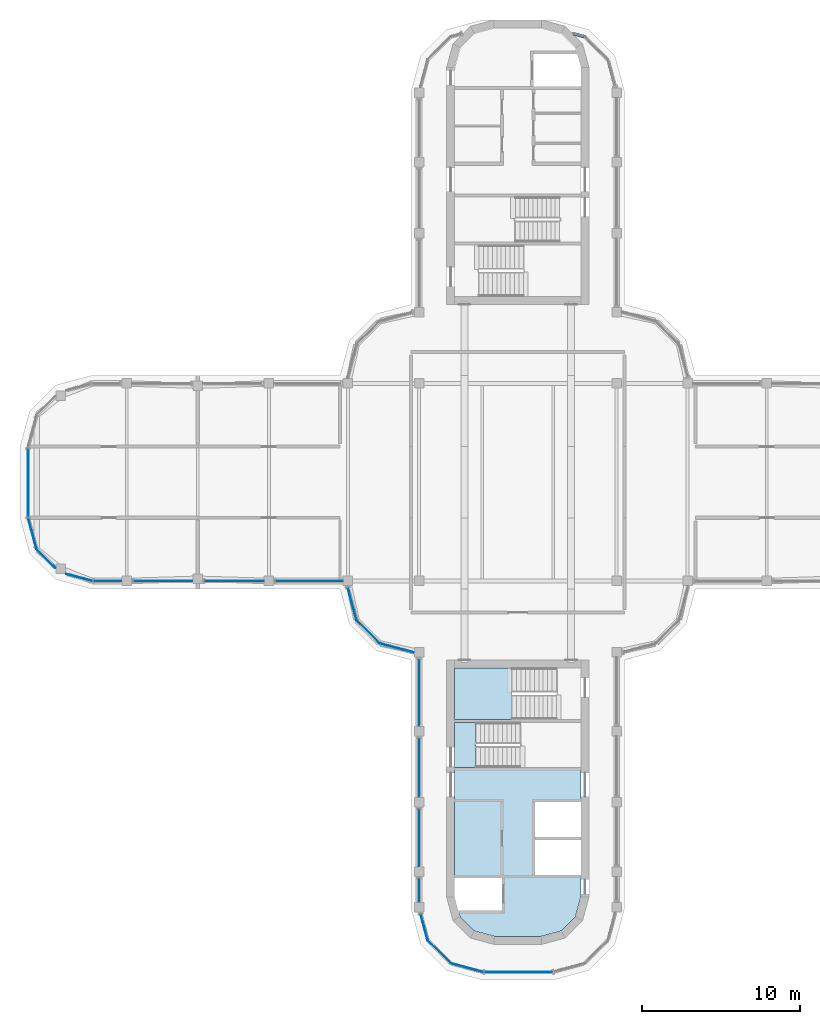
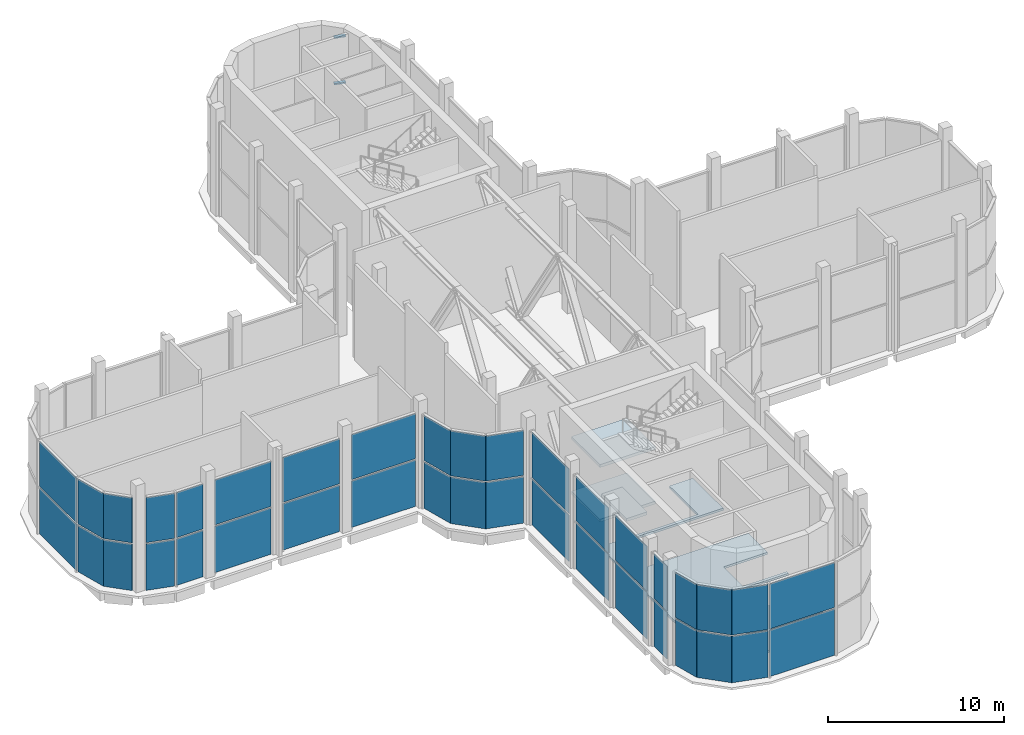
# One storey, part 7 of 15: 38 plates, 4 slabs, 2 members, 16 elements without a shape of their own.
"""IFC4 building model written with IfcOpenShell, lengths in metres."""

from ifc_helpers import new_model, si_unit, direction, frame, origin, place, context, subcontext, project, spatial, polyline, outline, extrude, source, transform, mapped, material, layer, layer_set, type_object, element, aggregate, save


model = new_model("IFC4")

# Units and contexts
model_context = context("Model", 3, precision=1e-05, world=origin(), true_north=direction((0.0, 1.0)))
body_context = subcontext(model_context, "Body", "Model", "MODEL_VIEW")
ifc_project = project(units=[si_unit("LENGTHUNIT", "METRE"), si_unit("AREAUNIT", "SQUARE_METRE"), si_unit("VOLUMEUNIT", "CUBIC_METRE"), si_unit("PLANEANGLEUNIT", "RADIAN"), si_unit("MASSUNIT", "GRAM", prefix="KILO")], contexts=[model_context])

# Site, building, storey
site_placement = place(None, origin())
site = spatial("IfcSite", under=ifc_project, at=site_placement, CompositionType="ELEMENT")
building_placement = place(site_placement, origin())
building = spatial("IfcBuilding", under=site, at=building_placement, Name="Zarbagh Exchange Tower", CompositionType="ELEMENT")
storey_placement = place(building_placement, frame((0.0, 0.0, 284.0)))
storey = spatial("IfcBuildingStorey", under=building, at=storey_placement, Name="L70", CompositionType="ELEMENT", Elevation=284.0)

# Curtain wall, members
ifc_material_1 = material(Name="Anodised aluminium frame and glazing", Category="aluminium")
curtain_wall_type = type_object("IfcCurtainWallType", Name="CWE Damper-floor glazed wall", PredefinedType="NOTDEFINED", material=ifc_material_1)
curtain_wall_1_placement = place(storey_placement, origin())
curtain_wall_1 = element("IfcCurtainWall", 1, at=curtain_wall_1_placement, inside=storey, type_object=curtain_wall_type, Name="CWE23 curtain wall", PredefinedType="NOTDEFINED")
ifc_material_2 = material(Name="Anodised aluminium frame", Category="aluminium")
member_type = type_object("IfcMemberType", Name="TRE Transom, anodised aluminium frame", PredefinedType="USERDEFINED", material=ifc_material_2)
shared_shape_1 = source(origin(), body_context, "Body", "SweptSolid", [
    extrude(outline(polyline([(-0.10009765625, -0.10009765625), (0.0, -0.10009765625), (0.0, 0.10009765625), (-0.10009765625, 0.10009765625), (-0.10009765625, -0.10009765625)])), origin(), (0.0, 0.0, 1.0), 0.677001953125),
])
placement = place(storey_placement, origin())
member_1 = element("IfcMember", 2, at=placement, type_object=member_type, Name="CWE23 transom 1.1", ObjectType="TRANSOM", PredefinedType="USERDEFINED", context=body_context, shape_type="MappedRepresentation", body=[
    mapped(shared_shape_1, transform((4.20263671875, 28.209228515625, 6.550048828125), x_axis=(0.0, 0.0, 1.0), y_axis=(0.258824779902, 0.965924289636, 0.0), z_axis=(-0.965924289636, 0.258824779902, 0.0))),
])
shared_shape_2 = source(origin(), body_context, "Body", "SweptSolid", [
    extrude(outline(polyline([(-0.050048828125, -0.10009765625), (0.050048828125, -0.10009765625), (0.050048828125, 0.10009765625), (-0.050048828125, 0.10009765625), (-0.050048828125, -0.10009765625)])), origin(), (0.0, 0.0, 1.0), 0.677001953125),
])
member_2 = element("IfcMember", 3, at=placement, type_object=member_type, Name="CWE23 mid transom 1", ObjectType="TRANSOM", PredefinedType="USERDEFINED", context=body_context, shape_type="MappedRepresentation", body=[
    mapped(shared_shape_2, transform((4.20263671875, 28.209228515625, 3.27490234375), x_axis=(0.0, 0.0, 1.0), y_axis=(0.258824779902, 0.965924289636, 0.0), z_axis=(-0.965924289636, 0.258824779902, 0.0))),
])
aggregate(curtain_wall_1, [member_1, member_2])

# Slab
ifc_material_3 = material(Name="Concrete C40/50", Category="concrete")
ifc_layer_1 = layer(ifc_material_3, 0.14990234375)
ifc_layer_set_1 = layer_set([ifc_layer_1], Name="Core floor slab 150 C40/50")
slab_type_1 = type_object("IfcSlabType", Name="Core floor slab 150 C40/50", PredefinedType="FLOOR", material=ifc_layer_set_1)
slab_1_placement = place(storey_placement, frame((0.0, 0.0, -0.14990234375)))
element("IfcSlab", 4, at=slab_1_placement, inside=storey, type_object=slab_type_1, Name="S17 core S", PredefinedType="FLOOR", context=body_context, shape_type="SweptSolid", body=[
    extrude(outline(polyline([(-2.7412109375, -28.39990234375), (-3.64990234375, -27.4912109375), (-3.857666015625, -26.715087890625), (-3.754638671875, -27.10009765625), (-1.0, -27.10009765625), (-1.0, -25.050048828125), (-4.0, -25.050048828125), (-4.0, -15.0), (2.449951171875, -15.0), (2.449951171875, -11.75), (4.0, -11.75), (4.0, -15.199951171875), (-2.64990234375, -15.199951171875), (-2.64990234375, -18.050048828125), (4.0, -18.050048828125), (4.0, -20.25), (1.10009765625, -20.25), (1.10009765625, -22.449951171875), (4.0, -22.449951171875), (4.0, -22.64990234375), (1.10009765625, -22.64990234375), (1.10009765625, -24.85009765625), (4.0, -24.85009765625), (4.0, -26.18408203125), (3.64990234375, -27.4912109375), (2.7412109375, -28.39990234375), (1.43408203125, -28.75), (-1.43408203125, -28.75), (-2.7412109375, -28.39990234375)])), origin(), (0.0, 0.0, 1.0), 0.14990234375),
])

# Stair, slab
stair_type = type_object("IfcStairType", Name="Exit stair two-flight half-turn", PredefinedType="HALF_TURN_STAIR", material=ifc_material_3)
stair_1_placement = place(storey_placement, origin())
stair_1 = element("IfcStair", 5, at=stair_1_placement, inside=storey, type_object=stair_type, Name="exit stair ST3", PredefinedType="HALF_TURN_STAIR")
ifc_layer_2 = layer(ifc_material_3, 0.199951171875)
ifc_layer_set_2 = layer_set([ifc_layer_2], Name="Stair landing 200 mm")
slab_type_2 = type_object("IfcSlabType", Name="Stair landing 200 mm", PredefinedType="LANDING", material=ifc_layer_set_2)
slab_2_placement = place(storey_placement, frame((0.0, 0.0, 3.60009765625)))
slab_2 = element("IfcSlab", 6, at=slab_2_placement, type_object=slab_type_2, Name="ST3 landing 2", PredefinedType="LANDING", context=body_context, shape_type="SweptSolid", body=[
    extrude(outline(polyline([(-4.0, -18.050048828125), (-2.64990234375, -18.050048828125), (-2.64990234375, -15.199951171875), (-4.0, -15.199951171875), (-4.0, -18.050048828125)])), origin(), (0.0, 0.0, 1.0), 0.199951171875),
])
aggregate(stair_1, [slab_2])

# Stair, slabs
stair_2_placement = place(storey_placement, origin())
stair_2 = element("IfcStair", 7, at=stair_2_placement, inside=storey, type_object=stair_type, Name="exit stair ST4", PredefinedType="HALF_TURN_STAIR")
slab_3_placement = place(storey_placement, frame((0.0, 0.0, 1.699951171875)))
slab_3 = element("IfcSlab", 8, at=slab_3_placement, type_object=slab_type_2, Name="ST4 landing 1", PredefinedType="LANDING", context=body_context, shape_type="SweptSolid", body=[
    extrude(outline(polyline([(-0.35009765625, -11.75), (-4.0, -11.75), (-4.0, -15.0), (-0.35009765625, -15.0), (-0.35009765625, -11.75)])), origin(), (0.0, 0.0, 1.0), 0.199951171875),
])
slab_4_placement = place(storey_placement, frame((0.0, 0.0, 5.5)))
slab_4 = element("IfcSlab", 9, at=slab_4_placement, type_object=slab_type_2, Name="ST4 landing 3", PredefinedType="LANDING", context=body_context, shape_type="SweptSolid", body=[
    extrude(outline(polyline([(-0.35009765625, -11.75), (-4.0, -11.75), (-4.0, -15.0), (-0.35009765625, -15.0), (-0.35009765625, -11.75)])), origin(), (0.0, 0.0, 1.0), 0.199951171875),
])
aggregate(stair_2, [slab_3, slab_4])

# Curtain wall, plates
curtain_wall_2_placement = place(storey_placement, origin())
curtain_wall_2 = element("IfcCurtainWall", 10, at=curtain_wall_2_placement, inside=storey, type_object=curtain_wall_type, Name="CWE36 curtain wall", PredefinedType="NOTDEFINED")
ifc_material_4 = material(Name="Low-e double glazed unit, 6+12+6 mm")
ifc_layer_3 = layer(ifc_material_4, 0.0400390625)
ifc_layer_set_3 = layer_set([ifc_layer_3], Name="PAE Glazing panel, Low-e double glazed unit, 6+12+6 mm")
plate_type = type_object("IfcPlateType", Name="PAE Glazing panel, Low-e double glazed unit, 6+12+6 mm", PredefinedType="CURTAIN_PANEL", material=ifc_layer_set_3)
shared_shape_3 = source(origin(), body_context, "Body", "SweptSolid", [
    extrude(outline(polyline([(0.0, -0.02001953125), (2.029541015625, -0.02001953125), (2.029541015625, 0.02001953125), (0.0, 0.02001953125), (0.0, -0.02001953125)])), origin(), (0.0, 0.0, 1.0), 3.22509765625),
])
plate_1 = element("IfcPlate", 11, at=placement, type_object=plate_type, Name="CWE36 glazing panel 1.1", PredefinedType="CURTAIN_PANEL", context=body_context, shape_type="MappedRepresentation", body=[
    mapped(shared_shape_3, transform((-30.97412109375, -2.28076171875, 0.0), x_axis=(0.258824779902, -0.965924289636, 0.0), y_axis=(0.965924289636, 0.258824779902, 0.0), z_axis=(0.0, 0.0, 1.0))),
])
shared_shape_4 = source(origin(), body_context, "Body", "SweptSolid", [
    extrude(outline(polyline([(0.0, -0.02001953125), (2.029541015625, -0.02001953125), (2.029541015625, 0.02001953125), (0.0, 0.02001953125), (0.0, -0.02001953125)])), origin(), (0.0, 0.0, 1.0), 3.125),
])
plate_2 = element("IfcPlate", 12, at=placement, type_object=plate_type, Name="CWE36 glazing panel 1.1", PredefinedType="CURTAIN_PANEL", context=body_context, shape_type="MappedRepresentation", body=[
    mapped(shared_shape_4, transform((-30.97412109375, -2.28076171875, 3.324951171875), x_axis=(0.258824779902, -0.965924289636, 0.0), y_axis=(0.965924289636, 0.258824779902, 0.0), z_axis=(0.0, 0.0, 1.0))),
])
aggregate(curtain_wall_2, [plate_1, plate_2])

# Curtain wall, plate
curtain_wall_3_placement = place(storey_placement, origin())
curtain_wall_3 = element("IfcCurtainWall", 13, at=curtain_wall_3_placement, inside=storey, type_object=curtain_wall_type, Name="CWE41 curtain wall", PredefinedType="NOTDEFINED")
shared_shape_5 = source(origin(), body_context, "Body", "SweptSolid", [
    extrude(outline(polyline([(0.0, -0.02001953125), (2.061279296875, -0.02001953125), (2.061279296875, 0.02001953125), (0.0, 0.02001953125), (0.0, -0.02001953125)])), origin(), (0.0, 0.0, 1.0), 3.22509765625),
])
plate_3 = element("IfcPlate", 14, at=placement, type_object=plate_type, Name="CWE41 glazing panel 1.1", PredefinedType="CURTAIN_PANEL", context=body_context, shape_type="MappedRepresentation", body=[
    mapped(shared_shape_5, transform((-10.19873046875, -8.7412109375, 0.0), x_axis=(0.707106781187, -0.707106781187, 0.0), y_axis=(0.707106781187, 0.707106781187, 0.0), z_axis=(0.0, 0.0, 1.0))),
])

curtain_wall_4_placement = place(storey_placement, origin())
curtain_wall_4 = element("IfcCurtainWall", 15, at=curtain_wall_4_placement, inside=storey, type_object=curtain_wall_type, Name="CWE45 curtain wall", PredefinedType="NOTDEFINED")
plate_4 = element("IfcPlate", 16, at=placement, type_object=plate_type, Name="CWE45 glazing panel 1.1", PredefinedType="CURTAIN_PANEL", context=body_context, shape_type="MappedRepresentation", body=[
    mapped(shared_shape_5, transform((-5.69873046875, -28.9912109375, 0.0), x_axis=(0.707106781187, -0.707106781187, 0.0), y_axis=(0.707106781187, 0.707106781187, 0.0), z_axis=(0.0, 0.0, 1.0))),
])

# Plate
shared_shape_6 = source(origin(), body_context, "Body", "SweptSolid", [
    extrude(outline(polyline([(0.0, -0.02001953125), (2.061279296875, -0.02001953125), (2.061279296875, 0.02001953125), (0.0, 0.02001953125), (0.0, -0.02001953125)])), origin(), (0.0, 0.0, 1.0), 3.125),
])
plate_5 = element("IfcPlate", 17, at=placement, type_object=plate_type, Name="CWE41 glazing panel 1.1", PredefinedType="CURTAIN_PANEL", context=body_context, shape_type="MappedRepresentation", body=[
    mapped(shared_shape_6, transform((-10.19873046875, -8.7412109375, 3.324951171875), x_axis=(0.707106781187, -0.707106781187, 0.0), y_axis=(0.707106781187, 0.707106781187, 0.0), z_axis=(0.0, 0.0, 1.0))),
])

aggregate(curtain_wall_3, [plate_3, plate_5])

plate_6 = element("IfcPlate", 18, at=placement, type_object=plate_type, Name="CWE45 glazing panel 1.1", PredefinedType="CURTAIN_PANEL", context=body_context, shape_type="MappedRepresentation", body=[
    mapped(shared_shape_6, transform((-5.69873046875, -28.9912109375, 3.324951171875), x_axis=(0.707106781187, -0.707106781187, 0.0), y_axis=(0.707106781187, 0.707106781187, 0.0), z_axis=(0.0, 0.0, 1.0))),
])

aggregate(curtain_wall_4, [plate_4, plate_6])

# Curtain wall, plates
curtain_wall_5_placement = place(storey_placement, origin())
curtain_wall_5 = element("IfcCurtainWall", 19, at=curtain_wall_5_placement, inside=storey, type_object=curtain_wall_type, Name="CWE43 curtain wall", PredefinedType="NOTDEFINED")
shared_shape_7 = source(origin(), body_context, "Body", "SweptSolid", [
    extrude(outline(polyline([(0.0, -0.02001953125), (1.469970703125, -0.02001953125), (1.469970703125, 0.02001953125), (0.0, 0.02001953125), (0.0, -0.02001953125)])), origin(), (0.0, 0.0, 1.0), 3.22509765625),
])
plate_7 = element("IfcPlate", 20, at=placement, type_object=plate_type, Name="CWE43 glazing panel 4.1", PredefinedType="CURTAIN_PANEL", context=body_context, shape_type="MappedRepresentation", body=[
    mapped(shared_shape_7, transform((-6.25, -25.090087890625, 0.0), x_axis=(0.0, -1.0, 0.0), y_axis=(1.0, 0.0, 0.0), z_axis=(0.0, 0.0, 1.0))),
])
shared_shape_8 = source(origin(), body_context, "Body", "SweptSolid", [
    extrude(outline(polyline([(0.0, -0.02001953125), (1.469970703125, -0.02001953125), (1.469970703125, 0.02001953125), (0.0, 0.02001953125), (0.0, -0.02001953125)])), origin(), (0.0, 0.0, 1.0), 3.125),
])
plate_8 = element("IfcPlate", 21, at=placement, type_object=plate_type, Name="CWE43 glazing panel 4.1", PredefinedType="CURTAIN_PANEL", context=body_context, shape_type="MappedRepresentation", body=[
    mapped(shared_shape_8, transform((-6.25, -25.090087890625, 3.324951171875), x_axis=(0.0, -1.0, 0.0), y_axis=(1.0, 0.0, 0.0), z_axis=(0.0, 0.0, 1.0))),
])
shared_shape_9 = source(origin(), body_context, "Body", "SweptSolid", [
    extrude(outline(polyline([(0.0, -0.02001953125), (3.6201171875, -0.02001953125), (3.6201171875, 0.02001953125), (0.0, 0.02001953125), (0.0, -0.02001953125)])), origin(), (0.0, 0.0, 1.0), 3.22509765625),
])
plate_9 = element("IfcPlate", 22, at=placement, type_object=plate_type, Name="CWE43 glazing panel 3.1", PredefinedType="CURTAIN_PANEL", context=body_context, shape_type="MappedRepresentation", body=[
    mapped(shared_shape_9, transform((-6.25, -20.68994140625, 0.0), x_axis=(0.0, -1.0, 0.0), y_axis=(1.0, 0.0, 0.0), z_axis=(0.0, 0.0, 1.0))),
])
shared_shape_10 = source(origin(), body_context, "Body", "SweptSolid", [
    extrude(outline(polyline([(0.0, -0.02001953125), (3.6201171875, -0.02001953125), (3.6201171875, 0.02001953125), (0.0, 0.02001953125), (0.0, -0.02001953125)])), origin(), (0.0, 0.0, 1.0), 3.125),
])
plate_10 = element("IfcPlate", 23, at=placement, type_object=plate_type, Name="CWE43 glazing panel 3.1", PredefinedType="CURTAIN_PANEL", context=body_context, shape_type="MappedRepresentation", body=[
    mapped(shared_shape_10, transform((-6.25, -20.68994140625, 3.324951171875), x_axis=(0.0, -1.0, 0.0), y_axis=(1.0, 0.0, 0.0), z_axis=(0.0, 0.0, 1.0))),
])

curtain_wall_6_placement = place(storey_placement, origin())
curtain_wall_6 = element("IfcCurtainWall", 24, at=curtain_wall_6_placement, inside=storey, type_object=curtain_wall_type, Name="CWE39 curtain wall", PredefinedType="NOTDEFINED")
shared_shape_11 = source(origin(), body_context, "Body", "SweptSolid", [
    extrude(outline(polyline([(0.0, -0.02001953125), (3.719970703125, -0.02001953125), (3.719970703125, 0.02001953125), (0.0, 0.02001953125), (0.0, -0.02001953125)])), origin(), (0.0, 0.0, 1.0), 3.22509765625),
])
plate_11 = element("IfcPlate", 25, at=placement, type_object=plate_type, Name="CWE39 glazing panel 2.1", PredefinedType="CURTAIN_PANEL", context=body_context, shape_type="MappedRepresentation", body=[
    mapped(shared_shape_11, transform((-24.31005859375, -6.25, 0.0), x_axis=(1.0, 0.0, 0.0), y_axis=(0.0, 1.0, 0.0), z_axis=(0.0, 0.0, 1.0))),
])
plate_12 = element("IfcPlate", 26, at=placement, type_object=plate_type, Name="CWE39 glazing panel 3.1", PredefinedType="CURTAIN_PANEL", context=body_context, shape_type="MappedRepresentation", body=[
    mapped(shared_shape_11, transform((-19.81005859375, -6.25, 0.0), x_axis=(1.0, 0.0, 0.0), y_axis=(0.0, 1.0, 0.0), z_axis=(0.0, 0.0, 1.0))),
])

# Plate
plate_13 = element("IfcPlate", 27, at=placement, type_object=plate_type, Name="CWE43 glazing panel 2.1", PredefinedType="CURTAIN_PANEL", context=body_context, shape_type="MappedRepresentation", body=[
    mapped(shared_shape_11, transform((-6.25, -16.18994140625, 0.0), x_axis=(0.0, -1.0, 0.0), y_axis=(1.0, 0.0, 0.0), z_axis=(0.0, 0.0, 1.0))),
])

shared_shape_12 = source(origin(), body_context, "Body", "SweptSolid", [
    extrude(outline(polyline([(0.0, -0.02001953125), (3.719970703125, -0.02001953125), (3.719970703125, 0.02001953125), (0.0, 0.02001953125), (0.0, -0.02001953125)])), origin(), (0.0, 0.0, 1.0), 3.125),
])
plate_14 = element("IfcPlate", 28, at=placement, type_object=plate_type, Name="CWE39 glazing panel 2.1", PredefinedType="CURTAIN_PANEL", context=body_context, shape_type="MappedRepresentation", body=[
    mapped(shared_shape_12, transform((-24.31005859375, -6.25, 3.324951171875), x_axis=(1.0, 0.0, 0.0), y_axis=(0.0, 1.0, 0.0), z_axis=(0.0, 0.0, 1.0))),
])

plate_15 = element("IfcPlate", 29, at=placement, type_object=plate_type, Name="CWE39 glazing panel 3.1", PredefinedType="CURTAIN_PANEL", context=body_context, shape_type="MappedRepresentation", body=[
    mapped(shared_shape_12, transform((-19.81005859375, -6.25, 3.324951171875), x_axis=(1.0, 0.0, 0.0), y_axis=(0.0, 1.0, 0.0), z_axis=(0.0, 0.0, 1.0))),
])

plate_16 = element("IfcPlate", 30, at=placement, type_object=plate_type, Name="CWE43 glazing panel 2.1", PredefinedType="CURTAIN_PANEL", context=body_context, shape_type="MappedRepresentation", body=[
    mapped(shared_shape_12, transform((-6.25, -16.18994140625, 3.324951171875), x_axis=(0.0, -1.0, 0.0), y_axis=(1.0, 0.0, 0.0), z_axis=(0.0, 0.0, 1.0))),
])

shared_shape_13 = source(origin(), body_context, "Body", "SweptSolid", [
    extrude(outline(polyline([(0.0, -0.02001953125), (4.219970703125, -0.02001953125), (4.219970703125, 0.02001953125), (0.0, 0.02001953125), (0.0, -0.02001953125)])), origin(), (0.0, 0.0, 1.0), 3.22509765625),
])
plate_17 = element("IfcPlate", 31, at=placement, type_object=plate_type, Name="CWE39 glazing panel 4.1", PredefinedType="CURTAIN_PANEL", context=body_context, shape_type="MappedRepresentation", body=[
    mapped(shared_shape_13, transform((-15.31005859375, -6.25, 0.0), x_axis=(1.0, 0.0, 0.0), y_axis=(0.0, 1.0, 0.0), z_axis=(0.0, 0.0, 1.0))),
])

plate_18 = element("IfcPlate", 32, at=placement, type_object=plate_type, Name="CWE43 glazing panel 1.1", PredefinedType="CURTAIN_PANEL", context=body_context, shape_type="MappedRepresentation", body=[
    mapped(shared_shape_13, transform((-6.25, -11.18994140625, 0.0), x_axis=(0.0, -1.0, 0.0), y_axis=(1.0, 0.0, 0.0), z_axis=(0.0, 0.0, 1.0))),
])

shared_shape_14 = source(origin(), body_context, "Body", "SweptSolid", [
    extrude(outline(polyline([(0.0, -0.02001953125), (4.219970703125, -0.02001953125), (4.219970703125, 0.02001953125), (0.0, 0.02001953125), (0.0, -0.02001953125)])), origin(), (0.0, 0.0, 1.0), 3.125),
])
plate_19 = element("IfcPlate", 33, at=placement, type_object=plate_type, Name="CWE39 glazing panel 4.1", PredefinedType="CURTAIN_PANEL", context=body_context, shape_type="MappedRepresentation", body=[
    mapped(shared_shape_14, transform((-15.31005859375, -6.25, 3.324951171875), x_axis=(1.0, 0.0, 0.0), y_axis=(0.0, 1.0, 0.0), z_axis=(0.0, 0.0, 1.0))),
])

plate_20 = element("IfcPlate", 34, at=placement, type_object=plate_type, Name="CWE43 glazing panel 1.1", PredefinedType="CURTAIN_PANEL", context=body_context, shape_type="MappedRepresentation", body=[
    mapped(shared_shape_14, transform((-6.25, -11.18994140625, 3.324951171875), x_axis=(0.0, -1.0, 0.0), y_axis=(1.0, 0.0, 0.0), z_axis=(0.0, 0.0, 1.0))),
])

aggregate(curtain_wall_5, [plate_18, plate_20, plate_13, plate_16, plate_9, plate_10, plate_7, plate_8])

# Curtain wall, plates
curtain_wall_7_placement = place(storey_placement, origin())
curtain_wall_7 = element("IfcCurtainWall", 35, at=curtain_wall_7_placement, inside=storey, type_object=curtain_wall_type, Name="CWE40 curtain wall", PredefinedType="NOTDEFINED")
shared_shape_15 = source(origin(), body_context, "Body", "SweptSolid", [
    extrude(outline(polyline([(0.0, -0.02001953125), (2.127197265625, -0.02001953125), (2.127197265625, 0.02001953125), (0.0, 0.02001953125), (0.0, -0.02001953125)])), origin(), (0.0, 0.0, 1.0), 3.22509765625),
])
plate_21 = element("IfcPlate", 36, at=placement, type_object=plate_type, Name="CWE40 glazing panel 1.1", PredefinedType="CURTAIN_PANEL", context=body_context, shape_type="MappedRepresentation", body=[
    mapped(shared_shape_15, transform((-10.749267578125, -6.6865234375, 0.0), x_axis=(0.258824779902, -0.965924289636, 0.0), y_axis=(0.965924289636, 0.258824779902, 0.0), z_axis=(0.0, 0.0, 1.0))),
])
shared_shape_16 = source(origin(), body_context, "Body", "SweptSolid", [
    extrude(outline(polyline([(0.0, -0.02001953125), (2.127197265625, -0.02001953125), (2.127197265625, 0.02001953125), (0.0, 0.02001953125), (0.0, -0.02001953125)])), origin(), (0.0, 0.0, 1.0), 3.125),
])
plate_22 = element("IfcPlate", 37, at=placement, type_object=plate_type, Name="CWE40 glazing panel 1.1", PredefinedType="CURTAIN_PANEL", context=body_context, shape_type="MappedRepresentation", body=[
    mapped(shared_shape_16, transform((-10.749267578125, -6.6865234375, 3.324951171875), x_axis=(0.258824779902, -0.965924289636, 0.0), y_axis=(0.965924289636, 0.258824779902, 0.0), z_axis=(0.0, 0.0, 1.0))),
])
aggregate(curtain_wall_7, [plate_21, plate_22])

curtain_wall_8_placement = place(storey_placement, origin())
curtain_wall_8 = element("IfcCurtainWall", 38, at=curtain_wall_8_placement, inside=storey, type_object=curtain_wall_type, Name="CWE42 curtain wall", PredefinedType="NOTDEFINED")
shared_shape_17 = source(origin(), body_context, "Body", "SweptSolid", [
    extrude(outline(polyline([(0.0, -0.02001953125), (2.22705078125, -0.02001953125), (2.22705078125, 0.02001953125), (0.0, 0.02001953125), (0.0, -0.02001953125)])), origin(), (0.0, 0.0, 1.0), 3.22509765625),
])
plate_23 = element("IfcPlate", 39, at=placement, type_object=plate_type, Name="CWE42 glazing panel 1.1", PredefinedType="CURTAIN_PANEL", context=body_context, shape_type="MappedRepresentation", body=[
    mapped(shared_shape_17, transform((-8.7412109375, -10.19873046875, 0.0), x_axis=(0.965924289636, -0.258824779902, 0.0), y_axis=(0.258824779902, 0.965924289636, 0.0), z_axis=(0.0, 0.0, 1.0))),
])
shared_shape_18 = source(origin(), body_context, "Body", "SweptSolid", [
    extrude(outline(polyline([(0.0, -0.02001953125), (2.22705078125, -0.02001953125), (2.22705078125, 0.02001953125), (0.0, 0.02001953125), (0.0, -0.02001953125)])), origin(), (0.0, 0.0, 1.0), 3.125),
])
plate_24 = element("IfcPlate", 40, at=placement, type_object=plate_type, Name="CWE42 glazing panel 1.1", PredefinedType="CURTAIN_PANEL", context=body_context, shape_type="MappedRepresentation", body=[
    mapped(shared_shape_18, transform((-8.7412109375, -10.19873046875, 3.324951171875), x_axis=(0.965924289636, -0.258824779902, 0.0), y_axis=(0.258824779902, 0.965924289636, 0.0), z_axis=(0.0, 0.0, 1.0))),
])
aggregate(curtain_wall_8, [plate_23, plate_24])

curtain_wall_9_placement = place(storey_placement, origin())
curtain_wall_9 = element("IfcCurtainWall", 41, at=curtain_wall_9_placement, inside=storey, type_object=curtain_wall_type, Name="CWE44 curtain wall", PredefinedType="NOTDEFINED")
shared_shape_19 = source(origin(), body_context, "Body", "SweptSolid", [
    extrude(outline(polyline([(0.0, -0.02001953125), (1.712890625, -0.02001953125), (1.712890625, 0.02001953125), (0.0, 0.02001953125), (0.0, -0.02001953125)])), origin(), (0.0, 0.0, 1.0), 3.22509765625),
])
plate_25 = element("IfcPlate", 42, at=placement, type_object=plate_type, Name="CWE44 glazing panel 1.1", PredefinedType="CURTAIN_PANEL", context=body_context, shape_type="MappedRepresentation", body=[
    mapped(shared_shape_19, transform((-6.14208984375, -27.336669921875, 0.0), x_axis=(0.258824779902, -0.965924289636, 0.0), y_axis=(0.965924289636, 0.258824779902, 0.0), z_axis=(0.0, 0.0, 1.0))),
])
shared_shape_20 = source(origin(), body_context, "Body", "SweptSolid", [
    extrude(outline(polyline([(0.0, -0.02001953125), (1.712890625, -0.02001953125), (1.712890625, 0.02001953125), (0.0, 0.02001953125), (0.0, -0.02001953125)])), origin(), (0.0, 0.0, 1.0), 3.125),
])
plate_26 = element("IfcPlate", 43, at=placement, type_object=plate_type, Name="CWE44 glazing panel 1.1", PredefinedType="CURTAIN_PANEL", context=body_context, shape_type="MappedRepresentation", body=[
    mapped(shared_shape_20, transform((-6.14208984375, -27.336669921875, 3.324951171875), x_axis=(0.258824779902, -0.965924289636, 0.0), y_axis=(0.965924289636, 0.258824779902, 0.0), z_axis=(0.0, 0.0, 1.0))),
])
aggregate(curtain_wall_9, [plate_25, plate_26])

# Plate
shared_shape_21 = source(origin(), body_context, "Body", "SweptSolid", [
    extrude(outline(polyline([(0.0, -0.02001953125), (1.744140625, -0.02001953125), (1.744140625, 0.02001953125), (0.0, 0.02001953125), (0.0, -0.02001953125)])), origin(), (0.0, 0.0, 1.0), 3.22509765625),
])
plate_27 = element("IfcPlate", 44, at=placement, type_object=plate_type, Name="CWE39 glazing panel 1.1", PredefinedType="CURTAIN_PANEL", context=body_context, shape_type="MappedRepresentation", body=[
    mapped(shared_shape_21, transform((-26.834228515625, -6.25, 0.0), x_axis=(1.0, 0.0, 0.0), y_axis=(0.0, 1.0, 0.0), z_axis=(0.0, 0.0, 1.0))),
])

shared_shape_22 = source(origin(), body_context, "Body", "SweptSolid", [
    extrude(outline(polyline([(0.0, -0.02001953125), (1.744140625, -0.02001953125), (1.744140625, 0.02001953125), (0.0, 0.02001953125), (0.0, -0.02001953125)])), origin(), (0.0, 0.0, 1.0), 3.125),
])
plate_28 = element("IfcPlate", 45, at=placement, type_object=plate_type, Name="CWE39 glazing panel 1.1", PredefinedType="CURTAIN_PANEL", context=body_context, shape_type="MappedRepresentation", body=[
    mapped(shared_shape_22, transform((-26.834228515625, -6.25, 3.324951171875), x_axis=(1.0, 0.0, 0.0), y_axis=(0.0, 1.0, 0.0), z_axis=(0.0, 0.0, 1.0))),
])

aggregate(curtain_wall_6, [plate_27, plate_28, plate_11, plate_14, plate_12, plate_15, plate_17, plate_19])

# Curtain wall, plates
curtain_wall_10_placement = place(storey_placement, origin())
curtain_wall_10 = element("IfcCurtainWall", 46, at=curtain_wall_10_placement, inside=storey, type_object=curtain_wall_type, Name="CWE37 curtain wall", PredefinedType="NOTDEFINED")
shared_shape_23 = source(origin(), body_context, "Body", "SweptSolid", [
    extrude(outline(polyline([(0.0, -0.02001953125), (1.6982421875, -0.02001953125), (1.6982421875, 0.02001953125), (0.0, 0.02001953125), (0.0, -0.02001953125)])), origin(), (0.0, 0.0, 1.0), 3.22509765625),
])
plate_29 = element("IfcPlate", 47, at=placement, type_object=plate_type, Name="CWE37 glazing panel 1.1", PredefinedType="CURTAIN_PANEL", context=body_context, shape_type="MappedRepresentation", body=[
    mapped(shared_shape_23, transform((-30.44873046875, -4.2412109375, 0.0), x_axis=(0.707106781187, -0.707106781187, 0.0), y_axis=(0.707106781187, 0.707106781187, 0.0), z_axis=(0.0, 0.0, 1.0))),
])
shared_shape_24 = source(origin(), body_context, "Body", "SweptSolid", [
    extrude(outline(polyline([(0.0, -0.02001953125), (1.6982421875, -0.02001953125), (1.6982421875, 0.02001953125), (0.0, 0.02001953125), (0.0, -0.02001953125)])), origin(), (0.0, 0.0, 1.0), 3.125),
])
plate_30 = element("IfcPlate", 48, at=placement, type_object=plate_type, Name="CWE37 glazing panel 1.1", PredefinedType="CURTAIN_PANEL", context=body_context, shape_type="MappedRepresentation", body=[
    mapped(shared_shape_24, transform((-30.44873046875, -4.2412109375, 3.324951171875), x_axis=(0.707106781187, -0.707106781187, 0.0), y_axis=(0.707106781187, 0.707106781187, 0.0), z_axis=(0.0, 0.0, 1.0))),
])
aggregate(curtain_wall_10, [plate_29, plate_30])

curtain_wall_11_placement = place(storey_placement, origin())
curtain_wall_11 = element("IfcCurtainWall", 49, at=curtain_wall_11_placement, inside=storey, type_object=curtain_wall_type, Name="CWE46 curtain wall", PredefinedType="NOTDEFINED")
shared_shape_25 = source(origin(), body_context, "Body", "SweptSolid", [
    extrude(outline(polyline([(0.0, -0.02001953125), (2.129638671875, -0.02001953125), (2.129638671875, 0.02001953125), (0.0, 0.02001953125), (0.0, -0.02001953125)])), origin(), (0.0, 0.0, 1.0), 3.22509765625),
])
plate_31 = element("IfcPlate", 50, at=placement, type_object=plate_type, Name="CWE46 glazing panel 1.1", PredefinedType="CURTAIN_PANEL", context=body_context, shape_type="MappedRepresentation", body=[
    mapped(shared_shape_25, transform((-4.2412109375, -30.44873046875, 0.0), x_axis=(0.965924289636, -0.258824779902, 0.0), y_axis=(0.258824779902, 0.965924289636, 0.0), z_axis=(0.0, 0.0, 1.0))),
])
shared_shape_26 = source(origin(), body_context, "Body", "SweptSolid", [
    extrude(outline(polyline([(0.0, -0.02001953125), (2.129638671875, -0.02001953125), (2.129638671875, 0.02001953125), (0.0, 0.02001953125), (0.0, -0.02001953125)])), origin(), (0.0, 0.0, 1.0), 3.125),
])
plate_32 = element("IfcPlate", 51, at=placement, type_object=plate_type, Name="CWE46 glazing panel 1.1", PredefinedType="CURTAIN_PANEL", context=body_context, shape_type="MappedRepresentation", body=[
    mapped(shared_shape_26, transform((-4.2412109375, -30.44873046875, 3.324951171875), x_axis=(0.965924289636, -0.258824779902, 0.0), y_axis=(0.258824779902, 0.965924289636, 0.0), z_axis=(0.0, 0.0, 1.0))),
])
aggregate(curtain_wall_11, [plate_31, plate_32])

# Curtain wall, plate
curtain_wall_12_placement = place(storey_placement, origin())
curtain_wall_12 = element("IfcCurtainWall", 52, at=curtain_wall_12_placement, inside=storey, type_object=curtain_wall_type, Name="CWE35 curtain wall", PredefinedType="NOTDEFINED")
shared_shape_27 = source(origin(), body_context, "Body", "SweptSolid", [
    extrude(outline(polyline([(0.0, -0.02001953125), (4.268310546875, -0.02001953125), (4.268310546875, 0.02001953125), (0.0, 0.02001953125), (0.0, -0.02001953125)])), origin(), (0.0, 0.0, 1.0), 3.22509765625),
])
plate_33 = element("IfcPlate", 53, at=placement, type_object=plate_type, Name="CWE35 glazing panel 1.1", PredefinedType="CURTAIN_PANEL", context=body_context, shape_type="MappedRepresentation", body=[
    mapped(shared_shape_27, transform((-31.0, 2.084228515625, 0.0), x_axis=(0.0, -1.0, 0.0), y_axis=(1.0, 0.0, 0.0), z_axis=(0.0, 0.0, 1.0))),
])

curtain_wall_13_placement = place(storey_placement, origin())
curtain_wall_13 = element("IfcCurtainWall", 54, at=curtain_wall_13_placement, inside=storey, type_object=curtain_wall_type, Name="CWE47 curtain wall", PredefinedType="NOTDEFINED")
plate_34 = element("IfcPlate", 55, at=placement, type_object=plate_type, Name="CWE47 glazing panel 1.1", PredefinedType="CURTAIN_PANEL", context=body_context, shape_type="MappedRepresentation", body=[
    mapped(shared_shape_27, transform((-2.084228515625, -31.0, 0.0), x_axis=(1.0, 0.0, 0.0), y_axis=(0.0, 1.0, 0.0), z_axis=(0.0, 0.0, 1.0))),
])

# Plate
shared_shape_28 = source(origin(), body_context, "Body", "SweptSolid", [
    extrude(outline(polyline([(0.0, -0.02001953125), (4.268310546875, -0.02001953125), (4.268310546875, 0.02001953125), (0.0, 0.02001953125), (0.0, -0.02001953125)])), origin(), (0.0, 0.0, 1.0), 3.125),
])
plate_35 = element("IfcPlate", 56, at=placement, type_object=plate_type, Name="CWE35 glazing panel 1.1", PredefinedType="CURTAIN_PANEL", context=body_context, shape_type="MappedRepresentation", body=[
    mapped(shared_shape_28, transform((-31.0, 2.084228515625, 3.324951171875), x_axis=(0.0, -1.0, 0.0), y_axis=(1.0, 0.0, 0.0), z_axis=(0.0, 0.0, 1.0))),
])

aggregate(curtain_wall_12, [plate_33, plate_35])

plate_36 = element("IfcPlate", 57, at=placement, type_object=plate_type, Name="CWE47 glazing panel 1.1", PredefinedType="CURTAIN_PANEL", context=body_context, shape_type="MappedRepresentation", body=[
    mapped(shared_shape_28, transform((-2.084228515625, -31.0, 3.324951171875), x_axis=(1.0, 0.0, 0.0), y_axis=(0.0, 1.0, 0.0), z_axis=(0.0, 0.0, 1.0))),
])

aggregate(curtain_wall_13, [plate_34, plate_36])

# Curtain wall, plates
curtain_wall_14_placement = place(storey_placement, origin())
curtain_wall_14 = element("IfcCurtainWall", 58, at=curtain_wall_14_placement, inside=storey, type_object=curtain_wall_type, Name="CWE38 curtain wall", PredefinedType="NOTDEFINED")
shared_shape_29 = source(origin(), body_context, "Body", "SweptSolid", [
    extrude(outline(polyline([(0.0, -0.02001953125), (1.69140625, -0.02001953125), (1.69140625, 0.02001953125), (0.0, 0.02001953125), (0.0, -0.02001953125)])), origin(), (0.0, 0.0, 1.0), 3.22509765625),
])
plate_37 = element("IfcPlate", 59, at=placement, type_object=plate_type, Name="CWE38 glazing panel 1.1", PredefinedType="CURTAIN_PANEL", context=body_context, shape_type="MappedRepresentation", body=[
    mapped(shared_shape_29, transform((-28.568115234375, -5.812255859375, 0.0), x_axis=(0.965924289636, -0.258824779902, 0.0), y_axis=(0.258824779902, 0.965924289636, 0.0), z_axis=(0.0, 0.0, 1.0))),
])
shared_shape_30 = source(origin(), body_context, "Body", "SweptSolid", [
    extrude(outline(polyline([(0.0, -0.02001953125), (1.69140625, -0.02001953125), (1.69140625, 0.02001953125), (0.0, 0.02001953125), (0.0, -0.02001953125)])), origin(), (0.0, 0.0, 1.0), 3.125),
])
plate_38 = element("IfcPlate", 60, at=placement, type_object=plate_type, Name="CWE38 glazing panel 1.1", PredefinedType="CURTAIN_PANEL", context=body_context, shape_type="MappedRepresentation", body=[
    mapped(shared_shape_30, transform((-28.568115234375, -5.812255859375, 3.324951171875), x_axis=(0.965924289636, -0.258824779902, 0.0), y_axis=(0.258824779902, 0.965924289636, 0.0), z_axis=(0.0, 0.0, 1.0))),
])
aggregate(curtain_wall_14, [plate_37, plate_38])

save(model, "model.ifc")
